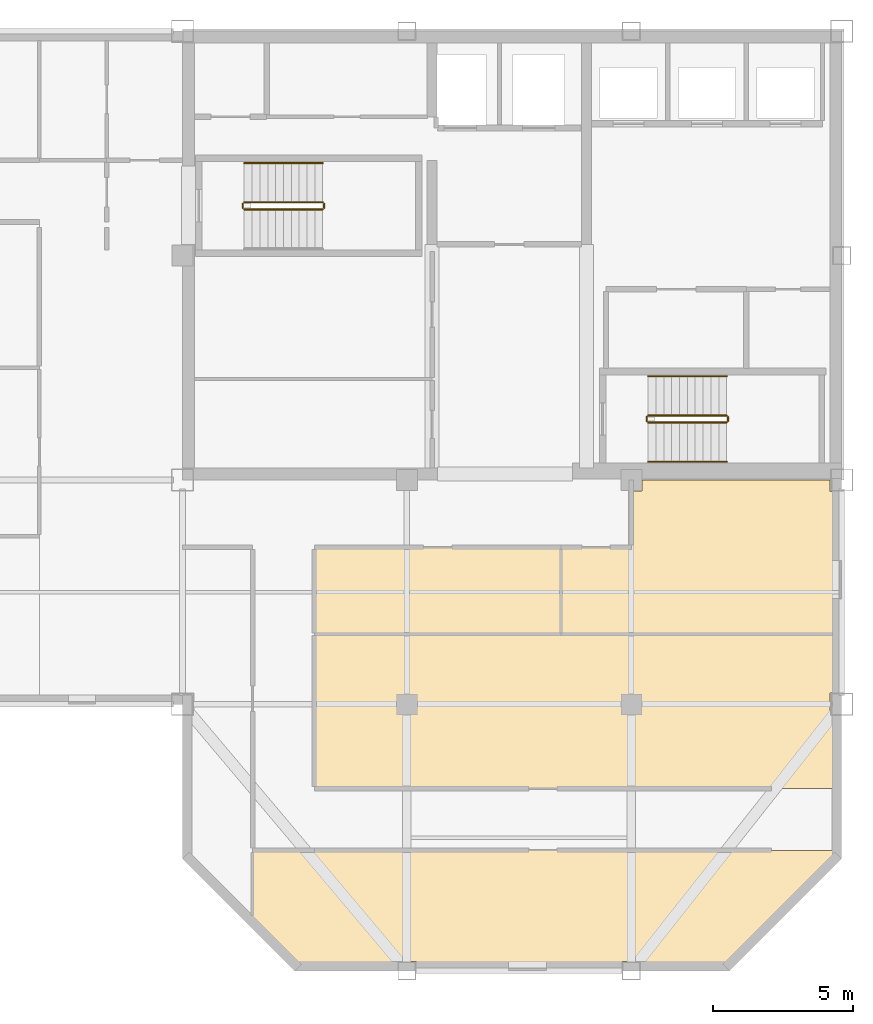
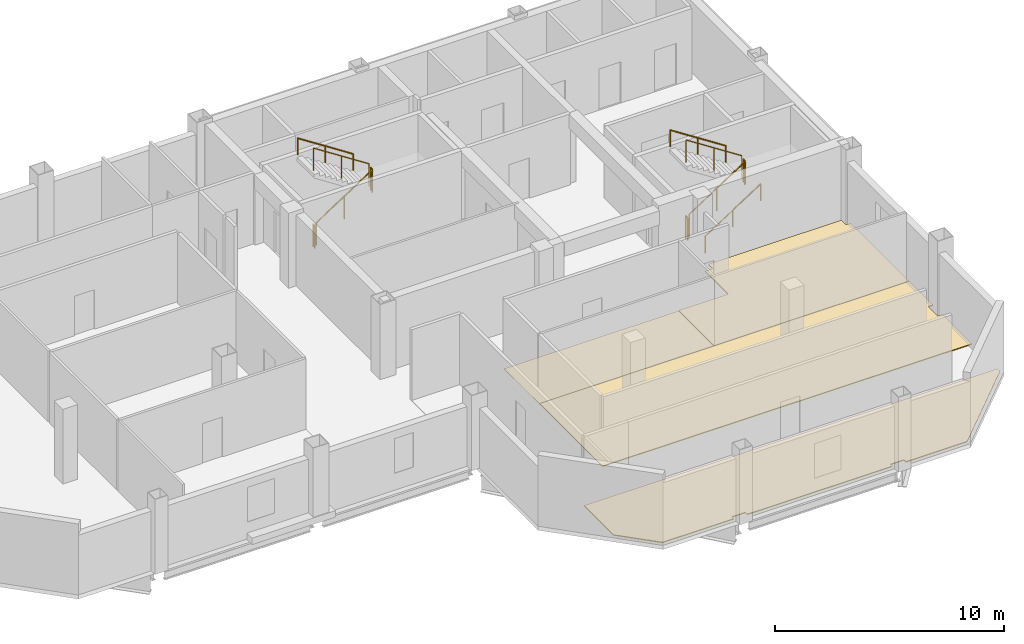
# One storey, part 6 of 7: 11 railings, 4 coverings.
"""IFC4 building model written with IfcOpenShell, lengths in metres."""

from ifc_helpers import new_model, si_unit, direction, frame, origin, origin_2d, place, context, subcontext, project, spatial, polyline, circle, outline, extrude, material, layer, layer_set, type_object, element, save


model = new_model("IFC4")

# Units and contexts
model_context = context("Model", 3, precision=1e-05, world=origin(), true_north=direction((0.0, 1.0)))
body_context = subcontext(model_context, "Body", "Model", "MODEL_VIEW")
ifc_project = project(units=[si_unit("LENGTHUNIT", "METRE"), si_unit("AREAUNIT", "SQUARE_METRE"), si_unit("VOLUMEUNIT", "CUBIC_METRE"), si_unit("PLANEANGLEUNIT", "RADIAN"), si_unit("MASSUNIT", "GRAM", prefix="KILO")], contexts=[model_context])

# Site, building, storey
site_placement = place(None, origin())
site = spatial("IfcSite", under=ifc_project, at=site_placement, CompositionType="ELEMENT")
building_placement = place(site_placement, origin())
building = spatial("IfcBuilding", under=site, at=building_placement, Name="Qianrong Seaharbour Tower", CompositionType="ELEMENT")
storey_placement = place(building_placement, frame((0.0, 0.0, 343.199951171875)))
storey = spatial("IfcBuildingStorey", under=building, at=storey_placement, Name="L83", CompositionType="ELEMENT", Elevation=343.199951171875)

# Coverings
ifc_material_1 = material(Name="Acoustic modular carpet tile flooring")
ifc_layer_1 = layer(ifc_material_1, 0.02001953125)
ifc_layer_set_1 = layer_set([ifc_layer_1], Name="Acoustic modular carpet tile flooring")
covering_type_1 = type_object("IfcCoveringType", Name="COV-FLOOR-CARPET-20", PredefinedType="FLOORING", material=ifc_layer_set_1)
covering_1_placement = place(storey_placement, origin())
element("IfcCovering", 1, at=covering_1_placement, inside=storey, type_object=covering_type_1, Name="L83 Wellness Room 1 Finish Flooring", PredefinedType="FLOORING", context=body_context, shape_type="SweptSolid", body=[
    extrude(outline(polyline([(54.0, 33.60009765625), (54.0, 30.5), (45.199951171875, 30.5), (45.199951171875, 33.60009765625), (54.0, 33.60009765625)])), origin(), (0.0, 0.0, 1.0), 0.02001953125),
])
ifc_material_2 = material(Name="Calcium-sulphate raised access floor tile")
ifc_layer_2 = layer(ifc_material_2, 0.044921875)
ifc_layer_set_2 = layer_set([ifc_layer_2], Name="Calcium-sulphate raised access floor tile")
covering_type_2 = type_object("IfcCoveringType", Name="COV-FLOOR-RAISED-45", PredefinedType="FLOORING", material=ifc_layer_set_2)
covering_2_placement = place(storey_placement, origin())
element("IfcCovering", 2, at=covering_2_placement, inside=storey, type_object=covering_type_2, Name="L83 South Tip Open-Plan Office Finish Flooring", PredefinedType="FLOORING", context=body_context, shape_type="SweptSolid", body=[
    extrude(outline(polyline([(63.8349609375, 22.568359375), (59.931640625, 18.6650390625), (56.8349609375, 18.6650390625), (56.8349609375, 18.8349609375), (56.1650390625, 18.8349609375), (56.1650390625, 18.6650390625), (48.8349609375, 18.6650390625), (48.8349609375, 18.8349609375), (48.1650390625, 18.8349609375), (48.1650390625, 18.6650390625), (44.568359375, 18.6650390625), (43.0, 20.2333984375), (43.0, 22.800048828125), (63.8349609375, 22.800048828125), (63.8349609375, 22.568359375)])), origin(), (0.0, 0.0, 1.0), 0.045166015625),
])
covering_3_placement = place(storey_placement, origin())
element("IfcCovering", 3, at=covering_3_placement, inside=storey, type_object=covering_type_2, Name="L83 Operations Open-Plan Office Finish Flooring", PredefinedType="FLOORING", context=body_context, shape_type="SweptSolid", body=[
    extrude(outline(polyline([(63.8349609375, 30.5), (63.8349609375, 28.409912109375), (63.590087890625, 28.409912109375), (63.590087890625, 27.590087890625), (63.8349609375, 27.590087890625), (63.8349609375, 25.0), (45.199951171875, 25.0), (45.199951171875, 30.5), (63.8349609375, 30.5)])), origin(), (0.0, 0.0, 1.0), 0.045166015625),
])
covering_4_placement = place(storey_placement, origin())
element("IfcCovering", 4, at=covering_4_placement, inside=storey, type_object=covering_type_2, Name="L83 Health Director Office 2 Finish Flooring", PredefinedType="FLOORING", context=body_context, shape_type="SweptSolid", body=[
    extrude(outline(polyline([(56.5, 33.60009765625), (56.5, 35.614990234375), (56.885009765625, 35.614990234375), (56.885009765625, 36.0), (63.590087890625, 36.0), (63.590087890625, 35.590087890625), (63.8349609375, 35.590087890625), (63.8349609375, 30.5), (54.0, 30.5), (54.0, 33.60009765625), (56.5, 33.60009765625)])), origin(), (0.0, 0.0, 1.0), 0.045166015625),
])

# Railings
ifc_material_3 = material(Name="Galvanized painted steel SN400B stair guard", Category="steel")
railing_type_1 = type_object("IfcRailingType", Name="RAIL-STAIR-GUARD-1220", PredefinedType="GUARDRAIL", material=ifc_material_3)
railing_1_placement = place(storey_placement, frame((42.699951171875, 45.64990234375, 0.181884765625)))
element("IfcRailing", 5, at=railing_1_placement, inside=storey, type_object=railing_type_1, Name="L83 ST-1 stair guard 1", PredefinedType="GUARDRAIL", context=body_context, shape_type="SweptSolid", body=[
    extrude(circle(Radius=0.02392578125, at=origin_2d()), frame((0.0, 0.0, 1.19580078125), z_axis=(0.838705829183, 0.0, 0.544584733623), x_axis=(0.0, 1.0, 0.0)), (0.0, 0.0, 1.0), 3.338623046875),
    extrude(circle(Radius=0.02099609375, at=origin_2d()), origin(), (0.0, 0.0, 1.0), 1.171875),
    extrude(circle(Radius=0.02099609375, at=origin_2d()), frame((1.39990234375, 0.0, 0.9091796875)), (0.0, 0.0, 1.0), 1.171875),
    extrude(circle(Radius=0.02099609375, at=origin_2d()), frame((2.800048828125, 0.0, 1.818115234375)), (0.0, 0.0, 1.0), 1.171875),
])
railing_2_placement = place(storey_placement, frame((45.550048828125, 45.699951171875, 2.0)))
element("IfcRailing", 6, at=railing_2_placement, inside=storey, type_object=railing_type_1, Name="L83 ST-1 stair guard 2", PredefinedType="GUARDRAIL", context=body_context, shape_type="SweptSolid", body=[
    extrude(circle(Radius=0.02392578125, at=origin_2d()), frame((0.0, 0.0, 1.19580078125), z_axis=(0.0, 1.0, 0.0), x_axis=(-1.0, 0.0, 0.0)), (0.0, 0.0, 1.0), 0.150146484375),
    extrude(circle(Radius=0.02099609375, at=origin_2d()), origin(), (0.0, 0.0, 1.0), 1.171875),
    extrude(circle(Radius=0.02099609375, at=origin_2d()), frame((0.0, 0.150146484375, 0.0)), (0.0, 0.0, 1.0), 1.171875),
])
railing_3_placement = place(storey_placement, frame((45.5, 45.89990234375, 2.181884765625)))
element("IfcRailing", 7, at=railing_3_placement, inside=storey, type_object=railing_type_1, Name="L83 ST-1 stair guard 3", PredefinedType="GUARDRAIL", context=body_context, shape_type="SweptSolid", body=[
    extrude(circle(Radius=0.02392578125, at=origin_2d()), frame((0.0, 0.0, 1.19580078125), z_axis=(-0.838705829183, 0.0, 0.544584733623), x_axis=(0.0, -1.0, 0.0)), (0.0, 0.0, 1.0), 3.338623046875),
    extrude(circle(Radius=0.02099609375, at=origin_2d()), origin(), (0.0, 0.0, 1.0), 1.171875),
    extrude(circle(Radius=0.02099609375, at=origin_2d()), frame((-1.39990234375, 0.0, 0.9091796875)), (0.0, 0.0, 1.0), 1.171875),
    extrude(circle(Radius=0.02099609375, at=origin_2d()), frame((-2.800048828125, 0.0, 1.818115234375)), (0.0, 0.0, 1.0), 1.171875),
])
railing_4_placement = place(storey_placement, frame((42.64990234375, 45.699951171875, 0.0)))
element("IfcRailing", 8, at=railing_4_placement, inside=storey, type_object=railing_type_1, Name="L83 ST-1 stair guard 4", PredefinedType="GUARDRAIL", context=body_context, shape_type="SweptSolid", body=[
    extrude(circle(Radius=0.02392578125, at=origin_2d()), frame((0.0, 0.0, 1.19580078125), z_axis=(0.0, 1.0, 0.0), x_axis=(-1.0, 0.0, 0.0)), (0.0, 0.0, 1.0), 0.150146484375),
    extrude(circle(Radius=0.02099609375, at=origin_2d()), origin(), (0.0, 0.0, 1.0), 1.171875),
    extrude(circle(Radius=0.02099609375, at=origin_2d()), frame((0.0, 0.150146484375, 0.0)), (0.0, 0.0, 1.0), 1.171875),
])
railing_5_placement = place(storey_placement, frame((57.10009765625, 38.050048828125, 0.181884765625)))
element("IfcRailing", 9, at=railing_5_placement, inside=storey, type_object=railing_type_1, Name="L83 ST-2 stair guard 1", PredefinedType="GUARDRAIL", context=body_context, shape_type="SweptSolid", body=[
    extrude(circle(Radius=0.02392578125, at=origin_2d()), frame((0.0, 0.0, 1.19580078125), z_axis=(0.83868413941, 0.0, 0.544618136222), x_axis=(0.0, 1.0, 0.0)), (0.0, 0.0, 1.0), 3.33837890625),
    extrude(circle(Radius=0.02099609375, at=origin_2d()), origin(), (0.0, 0.0, 1.0), 1.171875),
    extrude(circle(Radius=0.02099609375, at=origin_2d()), frame((1.39990234375, 0.0, 0.9091796875)), (0.0, 0.0, 1.0), 1.171875),
    extrude(circle(Radius=0.02099609375, at=origin_2d()), frame((2.7998046875, 0.0, 1.818115234375)), (0.0, 0.0, 1.0), 1.171875),
])
railing_6_placement = place(storey_placement, frame((59.949951171875, 38.10009765625, 2.0)))
element("IfcRailing", 10, at=railing_6_placement, inside=storey, type_object=railing_type_1, Name="L83 ST-2 stair guard 2", PredefinedType="GUARDRAIL", context=body_context, shape_type="SweptSolid", body=[
    extrude(circle(Radius=0.02392578125, at=origin_2d()), frame((0.0, 0.0, 1.19580078125), z_axis=(0.0, 1.0, 0.0), x_axis=(-1.0, 0.0, 0.0)), (0.0, 0.0, 1.0), 0.14990234375),
    extrude(circle(Radius=0.02099609375, at=origin_2d()), origin(), (0.0, 0.0, 1.0), 1.171875),
    extrude(circle(Radius=0.02099609375, at=origin_2d()), frame((0.0, 0.14990234375, 0.0)), (0.0, 0.0, 1.0), 1.171875),
])
railing_7_placement = place(storey_placement, frame((59.89990234375, 38.300048828125, 2.181884765625)))
element("IfcRailing", 11, at=railing_7_placement, inside=storey, type_object=railing_type_1, Name="L83 ST-2 stair guard 3", PredefinedType="GUARDRAIL", context=body_context, shape_type="SweptSolid", body=[
    extrude(circle(Radius=0.02392578125, at=origin_2d()), frame((0.0, 0.0, 1.19580078125), z_axis=(-0.83868413941, 0.0, 0.544618136222), x_axis=(0.0, -1.0, 0.0)), (0.0, 0.0, 1.0), 3.33837890625),
    extrude(circle(Radius=0.02099609375, at=origin_2d()), origin(), (0.0, 0.0, 1.0), 1.171875),
    extrude(circle(Radius=0.02099609375, at=origin_2d()), frame((-1.39990234375, 0.0, 0.9091796875)), (0.0, 0.0, 1.0), 1.171875),
    extrude(circle(Radius=0.02099609375, at=origin_2d()), frame((-2.7998046875, 0.0, 1.818115234375)), (0.0, 0.0, 1.0), 1.171875),
])
railing_8_placement = place(storey_placement, frame((57.050048828125, 38.10009765625, 0.0)))
element("IfcRailing", 12, at=railing_8_placement, inside=storey, type_object=railing_type_1, Name="L83 ST-2 stair guard 4", PredefinedType="GUARDRAIL", context=body_context, shape_type="SweptSolid", body=[
    extrude(circle(Radius=0.02392578125, at=origin_2d()), frame((0.0, 0.0, 1.19580078125), z_axis=(0.0, 1.0, 0.0), x_axis=(-1.0, 0.0, 0.0)), (0.0, 0.0, 1.0), 0.14990234375),
    extrude(circle(Radius=0.02099609375, at=origin_2d()), origin(), (0.0, 0.0, 1.0), 1.171875),
    extrude(circle(Radius=0.02099609375, at=origin_2d()), frame((0.0, 0.14990234375, 0.0)), (0.0, 0.0, 1.0), 1.171875),
])
ifc_material_4 = material(Name="Stainless steel SUS316L continuous handrail", Category="steel")
railing_type_2 = type_object("IfcRailingType", Name="RAIL-STAIR-HANDRAIL-900", PredefinedType="HANDRAIL", material=ifc_material_4)
railing_9_placement = place(storey_placement, frame((45.5, 47.300048828125, 2.181884765625)))
element("IfcRailing", 13, at=railing_9_placement, inside=storey, type_object=railing_type_2, Name="L83 ST-1 stair handrail 2", PredefinedType="HANDRAIL", context=body_context, shape_type="SweptSolid", body=[
    extrude(circle(Radius=0.02392578125, at=origin_2d()), frame((0.0, 0.0, 0.8759765625), z_axis=(-0.838705829183, 0.0, 0.544584733623), x_axis=(0.0, -1.0, 0.0)), (0.0, 0.0, 1.0), 3.338623046875),
    extrude(circle(Radius=0.02099609375, at=origin_2d()), origin(), (0.0, 0.0, 1.0), 0.851806640625),
    extrude(circle(Radius=0.02099609375, at=origin_2d()), frame((-1.39990234375, 0.0, 0.9091796875)), (0.0, 0.0, 1.0), 0.851806640625),
    extrude(circle(Radius=0.02099609375, at=origin_2d()), frame((-2.800048828125, 0.0, 1.818115234375)), (0.0, 0.0, 1.0), 0.851806640625),
])
railing_10_placement = place(storey_placement, frame((57.10009765625, 36.64990234375, 0.181884765625)))
element("IfcRailing", 14, at=railing_10_placement, inside=storey, type_object=railing_type_2, Name="L83 ST-2 stair handrail 1", PredefinedType="HANDRAIL", context=body_context, shape_type="SweptSolid", body=[
    extrude(circle(Radius=0.02392578125, at=origin_2d()), frame((0.0, 0.0, 0.8759765625), z_axis=(0.83868413941, 0.0, 0.544618136222), x_axis=(0.0, 1.0, 0.0)), (0.0, 0.0, 1.0), 3.33837890625),
    extrude(circle(Radius=0.02099609375, at=origin_2d()), origin(), (0.0, 0.0, 1.0), 0.851806640625),
    extrude(circle(Radius=0.02099609375, at=origin_2d()), frame((1.39990234375, 0.0, 0.9091796875)), (0.0, 0.0, 1.0), 0.851806640625),
    extrude(circle(Radius=0.02099609375, at=origin_2d()), frame((2.7998046875, 0.0, 1.818115234375)), (0.0, 0.0, 1.0), 0.851806640625),
])
railing_11_placement = place(storey_placement, frame((59.89990234375, 39.699951171875, 2.181884765625)))
element("IfcRailing", 15, at=railing_11_placement, inside=storey, type_object=railing_type_2, Name="L83 ST-2 stair handrail 2", PredefinedType="HANDRAIL", context=body_context, shape_type="SweptSolid", body=[
    extrude(circle(Radius=0.02392578125, at=origin_2d()), frame((0.0, 0.0, 0.8759765625), z_axis=(-0.83868413941, 0.0, 0.544618136222), x_axis=(0.0, -1.0, 0.0)), (0.0, 0.0, 1.0), 3.33837890625),
    extrude(circle(Radius=0.02099609375, at=origin_2d()), origin(), (0.0, 0.0, 1.0), 0.851806640625),
    extrude(circle(Radius=0.02099609375, at=origin_2d()), frame((-1.39990234375, 0.0, 0.9091796875)), (0.0, 0.0, 1.0), 0.851806640625),
    extrude(circle(Radius=0.02099609375, at=origin_2d()), frame((-2.7998046875, 0.0, 1.818115234375)), (0.0, 0.0, 1.0), 0.851806640625),
])

save(model, "model.ifc")
